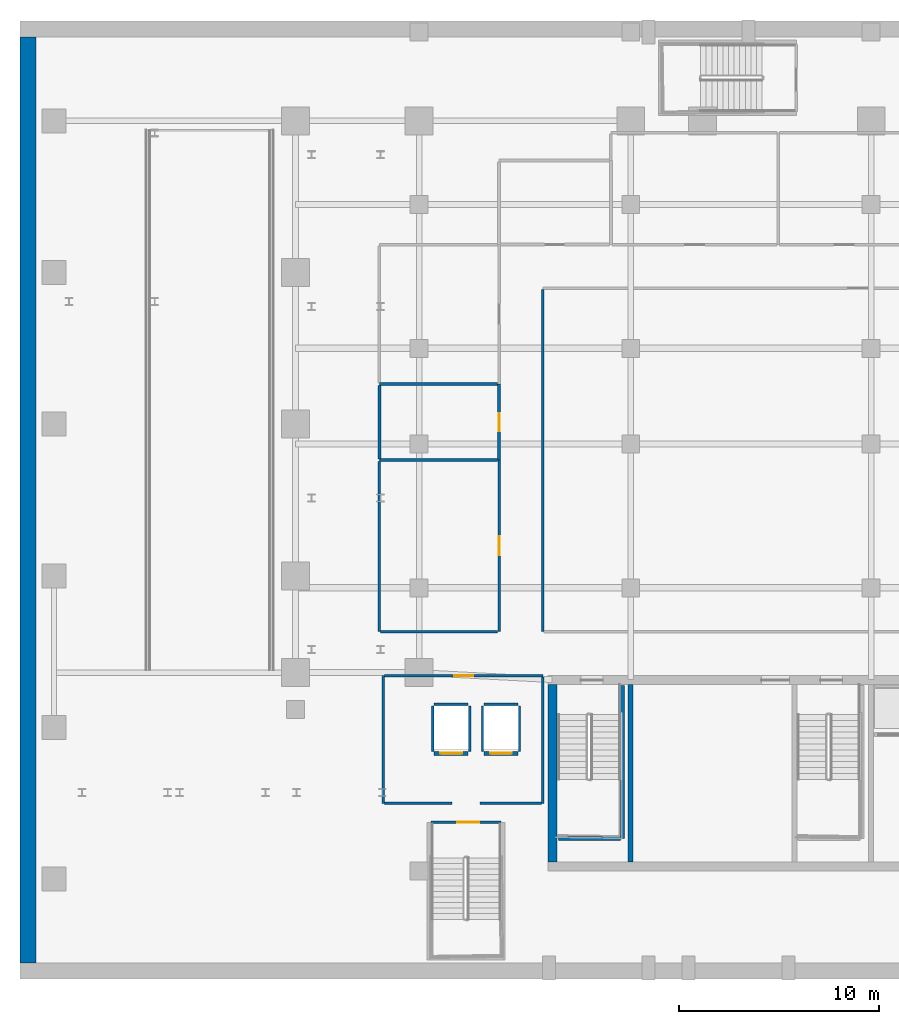
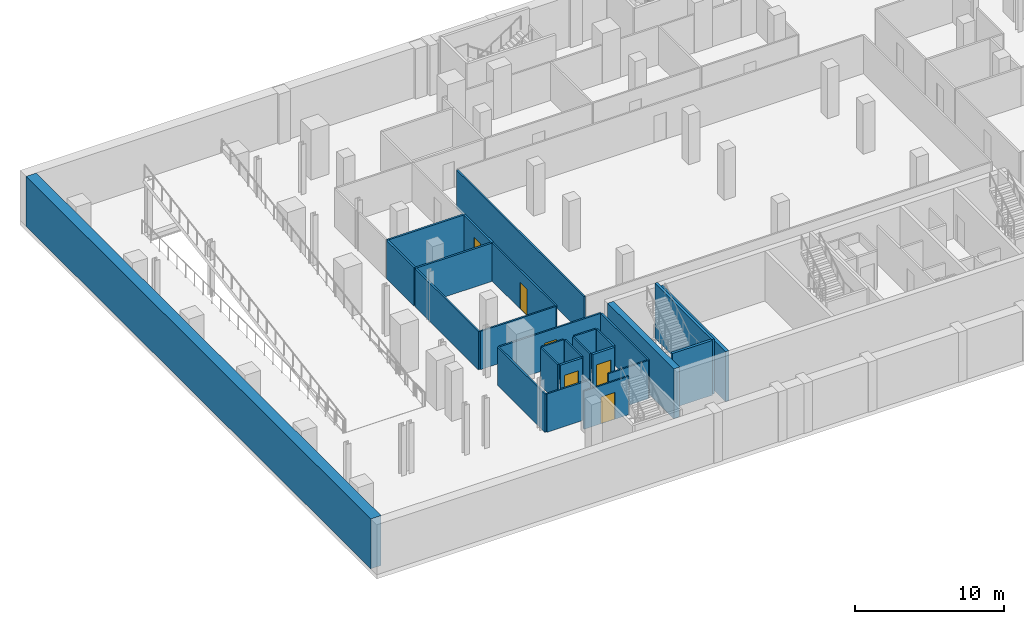
# One storey, part 7 of 18: 27 walls, 6 doors, 6 openings.
"""IFC4 building model written with IfcOpenShell, lengths in metres."""

from ifc_helpers import new_model, si_unit, direction, frame, frame_2d, origin, place, context, subcontext, project, spatial, rectangle, extrude, material, layer, layer_set, type_object, element, fill, save


model = new_model("IFC4")

# Units and contexts
model_context = context("Model", 3, precision=1e-05, world=origin(), true_north=direction((0.0, 1.0)))
body_context = subcontext(model_context, "Body", "Model", "MODEL_VIEW")
ifc_project = project(units=[si_unit("LENGTHUNIT", "METRE"), si_unit("AREAUNIT", "SQUARE_METRE"), si_unit("VOLUMEUNIT", "CUBIC_METRE"), si_unit("PLANEANGLEUNIT", "RADIAN"), si_unit("MASSUNIT", "GRAM", prefix="KILO")], contexts=[model_context])

# Site, building, storey
site_placement = place(None, origin())
site = spatial("IfcSite", under=ifc_project, at=site_placement, CompositionType="ELEMENT")
building_placement = place(site_placement, origin())
building = spatial("IfcBuilding", under=site, at=building_placement, Name="Ndaravel Arena Tower", CompositionType="ELEMENT")
storey_placement = place(building_placement, frame((0.0, 0.0, -4.5)))
storey = spatial("IfcBuildingStorey", under=building, at=storey_placement, Name="B01", CompositionType="ELEMENT", Elevation=-4.5)

# Walls
ifc_material_1 = material(Name="Concrete C60/75", Category="concrete")
ifc_layer_1 = layer(ifc_material_1, 0.25)
ifc_layer_set_1 = layer_set([ifc_layer_1], Name="Concrete C60/75")
wall_type_1 = type_object("IfcWallType", Name="WALL-CORE-250", PredefinedType="SOLIDWALL", material=ifc_layer_set_1)
wall_1_placement = place(storey_placement, frame((30.60009765625, 5.85009765625, 0.0), z_axis=(0.0, 0.0, 1.0), x_axis=(0.0, 1.0, 0.0)))
element("IfcWall", 1, at=wall_1_placement, inside=storey, type_object=wall_type_1, Name="B01 Core Web Shear Wall 1", PredefinedType="SOLIDWALL", context=body_context, shape_type="SweptSolid", body=[
    extrude(rectangle(XDim=8.89990234375, YDim=0.25, at=frame_2d((4.449951171875, 0.0))), origin(), (0.0, 0.0, 1.0), 4.10009765625),
])
ifc_material_2 = material(Name="Concrete C60/75", Category="concrete")
ifc_layer_2 = layer(ifc_material_2, 0.449951171875)
ifc_layer_set_2 = layer_set([ifc_layer_2], Name="Concrete C60/75")
wall_type_2 = type_object("IfcWallType", Name="WALL-CORE-450", PredefinedType="SOLIDWALL", material=ifc_layer_set_2)
wall_2_placement = place(storey_placement, frame((26.675048828125, 5.85009765625, 0.0), z_axis=(0.0, 0.0, 1.0), x_axis=(0.0, 1.0, 0.0)))
element("IfcWall", 2, at=wall_2_placement, inside=storey, type_object=wall_type_2, Name="B01 Core West Shear Wall", PredefinedType="SOLIDWALL", context=body_context, shape_type="SweptSolid", body=[
    extrude(rectangle(XDim=8.89990234375, YDim=0.449951171875, at=frame_2d((4.449951171875, 0.0))), origin(), (0.0, 0.0, 1.0), 4.10009765625),
])
ifc_material_3 = material(Name="Concrete C40/50", Category="concrete")
ifc_layer_3 = layer(ifc_material_3, 0.800048828125)
ifc_layer_set_3 = layer_set([ifc_layer_3], Name="Concrete C40/50")
wall_type_3 = type_object("IfcWallType", Name="WALL-DWALL-800", PredefinedType="USERDEFINED", material=ifc_layer_set_3)
wall_3_placement = place(storey_placement, frame((0.39990234375, 0.800048828125, 0.0), z_axis=(0.0, 0.0, 1.0), x_axis=(0.0, 1.0, 0.0)))
element("IfcWall", 3, at=wall_3_placement, inside=storey, type_object=wall_type_3, Name="B01 West Diaphragm Wall", ObjectType="RETAININGWALL", PredefinedType="USERDEFINED", context=body_context, shape_type="SweptSolid", body=[
    extrude(rectangle(XDim=46.39990234375, YDim=0.800048828125, at=frame_2d((23.199951171875, 0.0))), origin(), (0.0, 0.0, 1.0), 4.10009765625),
])
ifc_material_4 = material(Name="Gypsum", Category="gypsum")
ifc_layer_4 = layer(ifc_material_4, 0.125)
ifc_layer_set_4 = layer_set([ifc_layer_4], Name="Gypsum")
wall_type_4 = type_object("IfcWallType", Name="WALL-PART-125", PredefinedType="PARTITIONING", material=ifc_layer_set_4)
wall_4_placement = place(storey_placement, frame((26.199951171875, 34.534912109375, 0.0), z_axis=(0.0, 0.0, 1.0), x_axis=(0.0, -1.0, 0.0)))
element("IfcWall", 4, at=wall_4_placement, inside=storey, type_object=wall_type_4, Name="B01 Interior Partition 003", PredefinedType="PARTITIONING", context=body_context, shape_type="SweptSolid", body=[
    extrude(rectangle(XDim=17.135009765625, YDim=0.125, at=frame_2d((8.5673828125, 0.0))), origin(), (0.0, 0.0, 1.0), 3.143310546875),
])

# Wall, opening, door
wall_5_placement = place(storey_placement, frame((24.0, 17.39990234375, 0.0), z_axis=(0.0, 0.0, 1.0), x_axis=(0.0, 1.0, 0.0)))
wall_5 = element("IfcWall", 5, at=wall_5_placement, inside=storey, type_object=wall_type_4, Name="B01 Interior Partition 005", PredefinedType="PARTITIONING", context=body_context, shape_type="SweptSolid", body=[
    extrude(rectangle(XDim=8.60009765625, YDim=0.125, at=frame_2d((4.300048828125, 0.0))), origin(), (0.0, 0.0, 1.0), 3.143310546875),
])
opening_1_placement = place(wall_5_placement, frame((3.824951171875, 0.0, 0.0)))
opening_1 = element("IfcOpeningElement", 6, at=opening_1_placement, cuts=wall_5, Name="Opening ID-01", PredefinedType="OPENING", context=body_context, shape_type="SweptSolid", body=[
    extrude(rectangle(XDim=0.949951171875, YDim=2.199951171875, at=frame_2d((0.47509765625, 1.10009765625))), frame((0.0, 0.0625, 0.0), z_axis=(0.0, -1.0, 0.0), x_axis=(1.0, 0.0, 0.0)), (0.0, 0.0, 1.0), 0.125),
])
ifc_material_5 = material(Name="Timber", Category="wood")
door_type_1 = type_object("IfcDoorType", Name="DT-03-OFFICE-950", OperationType="SINGLE_SWING_LEFT", PredefinedType="DOOR", material=ifc_material_5)
door_1_placement = place(opening_1_placement, origin())
door_1 = element("IfcDoor", 7, at=door_1_placement, inside=storey, type_object=door_type_1, Name="B01 Host Team A Locker & Changing Room Door", OperationType="SINGLE_SWING_LEFT", OverallHeight=2.199951171875, OverallWidth=0.949951171875, PredefinedType="DOOR", context=body_context, shape_type="SweptSolid", body=[
    extrude(rectangle(XDim=0.949951171875, YDim=2.199951171875, at=frame_2d((0.47509765625, 1.10009765625))), frame((0.0, 0.02490234375, 0.0), z_axis=(0.0, -1.0, 0.0), x_axis=(1.0, 0.0, 0.0)), (0.0, 0.0, 1.0), 0.050048828125),
])
fill(opening_1, door_1)

# Walls
wall_6_placement = place(storey_placement, frame((18.0, 25.93505859375, 0.0), z_axis=(0.0, 0.0, 1.0), x_axis=(0.0, -1.0, 0.0)))
element("IfcWall", 8, at=wall_6_placement, inside=storey, type_object=wall_type_4, Name="B01 Interior Partition 007", PredefinedType="PARTITIONING", context=body_context, shape_type="SweptSolid", body=[
    extrude(rectangle(XDim=8.53515625, YDim=0.125, at=frame_2d((4.267578125, 0.0))), origin(), (0.0, 0.0, 1.0), 3.143310546875),
])
wall_7_placement = place(storey_placement, frame((18.06494140625, 17.39990234375, 0.0), z_axis=(0.0, 0.0, 1.0), x_axis=(1.0, 0.0, 0.0)))
element("IfcWall", 9, at=wall_7_placement, inside=storey, type_object=wall_type_4, Name="B01 Interior Partition 008", PredefinedType="PARTITIONING", context=body_context, shape_type="SweptSolid", body=[
    extrude(rectangle(XDim=5.8701171875, YDim=0.125, at=frame_2d((2.93505859375, 0.0))), origin(), (0.0, 0.0, 1.0), 3.143310546875),
])
wall_8_placement = place(storey_placement, frame((18.199951171875, 8.800048828125, 0.0), z_axis=(0.0, 0.0, 1.0), x_axis=(0.0, 1.0, 0.0)))
element("IfcWall", 10, at=wall_8_placement, inside=storey, type_object=wall_type_4, Name="B01 Interior Partition 041", PredefinedType="PARTITIONING", context=body_context, shape_type="SweptSolid", body=[
    extrude(rectangle(XDim=6.39990234375, YDim=0.125, at=frame_2d((3.199951171875, 0.0))), origin(), (0.0, 0.0, 1.0), 3.143310546875),
])

# Wall, opening, door
wall_9_placement = place(storey_placement, frame((18.264892578125, 15.199951171875, 0.0), z_axis=(0.0, 0.0, 1.0), x_axis=(1.0, 0.0, 0.0)))
wall_9 = element("IfcWall", 11, at=wall_9_placement, inside=storey, type_object=wall_type_4, Name="B01 Interior Partition 042", PredefinedType="PARTITIONING", context=body_context, shape_type="SweptSolid", body=[
    extrude(rectangle(XDim=7.93505859375, YDim=0.125, at=frame_2d((3.967529296875, 0.0))), origin(), (0.0, 0.0, 1.0), 3.143310546875),
])
opening_2_placement = place(wall_9_placement, frame((3.492431640625, 0.0, 0.0)))
opening_2 = element("IfcOpeningElement", 12, at=opening_2_placement, cuts=wall_9, Name="Opening FD-03", PredefinedType="OPENING", context=body_context, shape_type="SweptSolid", body=[
    extrude(rectangle(XDim=0.949951171875, YDim=2.199951171875, at=frame_2d((0.47509765625, 1.10009765625))), frame((0.0, 0.0625, 0.0), z_axis=(0.0, -1.0, 0.0), x_axis=(1.0, 0.0, 0.0)), (0.0, 0.0, 1.0), 0.125),
])
ifc_material_6 = material(Name="Steel S355", Category="steel")
door_type_2 = type_object("IfcDoorType", Name="DT-11-CORE-950", OperationType="SINGLE_SWING_LEFT", PredefinedType="DOOR", material=ifc_material_6)
door_2_placement = place(opening_2_placement, origin())
door_2 = element("IfcDoor", 13, at=door_2_placement, inside=storey, type_object=door_type_2, Name="B01 B01 Podium Lift Lobby Door", OperationType="SINGLE_SWING_RIGHT", OverallHeight=2.199951171875, OverallWidth=0.949951171875, PredefinedType="DOOR", context=body_context, shape_type="SweptSolid", body=[
    extrude(rectangle(XDim=0.949951171875, YDim=2.199951171875, at=frame_2d((0.47509765625, 1.10009765625))), frame((0.0, 0.02490234375, 0.0), z_axis=(0.0, -1.0, 0.0), x_axis=(1.0, 0.0, 0.0)), (0.0, 0.0, 1.0), 0.050048828125),
])
fill(opening_2, door_2)

# Walls
wall_10_placement = place(storey_placement, frame((26.199951171875, 15.135009765625, 0.0), z_axis=(0.0, 0.0, 1.0), x_axis=(0.0, -1.0, 0.0)))
element("IfcWall", 14, at=wall_10_placement, inside=storey, type_object=wall_type_4, Name="B01 Interior Partition 043", PredefinedType="PARTITIONING", context=body_context, shape_type="SweptSolid", body=[
    extrude(rectangle(XDim=6.3349609375, YDim=0.125, at=frame_2d((3.16748046875, 0.0))), origin(), (0.0, 0.0, 1.0), 3.143310546875),
])
wall_11_placement = place(storey_placement, frame((26.135009765625, 8.800048828125, 0.0), z_axis=(0.0, 0.0, 1.0), x_axis=(-1.0, 0.0, 0.0)))
element("IfcWall", 15, at=wall_11_placement, inside=storey, type_object=wall_type_4, Name="B01 Interior Partition 044", PredefinedType="PARTITIONING", context=body_context, shape_type="SweptSolid", body=[
    extrude(rectangle(XDim=3.0849609375, YDim=0.125, at=frame_2d((1.54248046875, 0.0))), origin(), (0.0, 0.0, 1.0), 3.143310546875),
])
wall_12_placement = place(storey_placement, frame((21.64990234375, 8.800048828125, 0.0), z_axis=(0.0, 0.0, 1.0), x_axis=(-1.0, 0.0, 0.0)))
element("IfcWall", 16, at=wall_12_placement, inside=storey, type_object=wall_type_4, Name="B01 Interior Partition 045", PredefinedType="PARTITIONING", context=body_context, shape_type="SweptSolid", body=[
    extrude(rectangle(XDim=3.385009765625, YDim=0.125, at=frame_2d((1.6923828125, 0.0))), origin(), (0.0, 0.0, 1.0), 3.143310546875),
])

# Wall, opening, door
ifc_material_7 = material(Name="Concrete C40/50", Category="concrete")
ifc_layer_5 = layer(ifc_material_7, 0.1201171875)
ifc_layer_set_5 = layer_set([ifc_layer_5], Name="Concrete C40/50")
wall_type_5 = type_object("IfcWallType", Name="WALL-SHAFT-120", PredefinedType="SOLIDWALL", material=ifc_layer_set_5)
wall_13_placement = place(storey_placement, frame((20.60498046875, 7.85009765625, 0.0), z_axis=(0.0, 0.0, 1.0), x_axis=(1.0, 0.0, 0.0)))
wall_13 = element("IfcWall", 17, at=wall_13_placement, inside=storey, type_object=wall_type_5, Name="B01 ST-B1 Entry Wall", PredefinedType="SOLIDWALL", context=body_context, shape_type="SweptSolid", body=[
    extrude(rectangle(XDim=3.489990234375, YDim=0.1201171875, at=frame_2d((1.7451171875, 0.0))), origin(), (0.0, 0.0, 1.0), 3.143310546875),
])
opening_3_placement = place(wall_13_placement, frame((1.300048828125, 0.0, 0.0)))
opening_3 = element("IfcOpeningElement", 18, at=opening_3_placement, cuts=wall_13, Name="Opening FD-01", PredefinedType="OPENING", context=body_context, shape_type="SweptSolid", body=[
    extrude(rectangle(XDim=1.10009765625, YDim=2.199951171875, at=frame_2d((0.550048828125, 1.10009765625))), frame((0.0, 0.06005859375, 0.0), z_axis=(0.0, -1.0, 0.0), x_axis=(1.0, 0.0, 0.0)), (0.0, 0.0, 1.0), 0.1201171875),
])
ifc_material_8 = material(Name="Steel S355", Category="steel")
door_type_3 = type_object("IfcDoorType", Name="DT-01-STAIR-1100", OperationType="SINGLE_SWING_LEFT", PredefinedType="DOOR", material=ifc_material_8)
door_3_placement = place(opening_3_placement, origin())
door_3 = element("IfcDoor", 19, at=door_3_placement, inside=storey, type_object=door_type_3, Name="B01 ST-B1 Fire Exit Stair Door", OperationType="SINGLE_SWING_RIGHT", OverallHeight=2.199951171875, OverallWidth=1.10009765625, PredefinedType="DOOR", context=body_context, shape_type="SweptSolid", body=[
    extrude(rectangle(XDim=1.10009765625, YDim=2.199951171875, at=frame_2d((0.550048828125, 1.10009765625))), frame((0.0, 0.02490234375, 0.0), z_axis=(0.0, -1.0, 0.0), x_axis=(1.0, 0.0, 0.0)), (0.0, 0.0, 1.0), 0.050048828125),
])
fill(opening_3, door_3)

# Walls
wall_14_placement = place(storey_placement, frame((20.7548828125, 13.760009765625, 0.0), z_axis=(0.0, 0.0, 1.0), x_axis=(1.0, 0.0, 0.0)))
element("IfcWall", 20, at=wall_14_placement, inside=storey, type_object=wall_type_5, Name="B01 PL-A1 Shaft Rear Wall", PredefinedType="SOLIDWALL", context=body_context, shape_type="SweptSolid", body=[
    extrude(rectangle(XDim=1.690185546875, YDim=0.1201171875, at=frame_2d((0.84521484375, 0.0))), origin(), (0.0, 0.0, 1.0), 3.143310546875),
])
for number, where, z_axis, x_axis, name in (
    (21, (20.675048828125, 11.389892578125, 0.0), (0.0, 0.0, 1.0), (0.0, 1.0, 0.0), "B01 PL-A1 Shaft Side L Wall"),
    (22, (22.52490234375, 11.389892578125, 0.0), (0.0, 0.0, 1.0), (0.0, 1.0, 0.0), "B01 PL-A1 Shaft Side R Wall"),
):
    element("IfcWall", number, at=place(storey_placement, frame(where, z_axis=z_axis, x_axis=x_axis)), inside=storey, type_object=wall_type_5, Name=name, PredefinedType="SOLIDWALL", context=body_context, shape_type="SweptSolid", body=[
        extrude(rectangle(XDim=2.280029296875, YDim=0.1201171875, at=frame_2d((1.14013671875, 0.0))), origin(), (0.0, 0.0, 1.0), 3.143310546875),
    ])
wall_15_placement = place(storey_placement, frame((23.2548828125, 13.760009765625, 0.0), z_axis=(0.0, 0.0, 1.0), x_axis=(1.0, 0.0, 0.0)))
element("IfcWall", 23, at=wall_15_placement, inside=storey, type_object=wall_type_5, Name="B01 PL-A2 Shaft Rear Wall", PredefinedType="SOLIDWALL", context=body_context, shape_type="SweptSolid", body=[
    extrude(rectangle(XDim=1.690185546875, YDim=0.1201171875, at=frame_2d((0.84521484375, 0.0))), origin(), (0.0, 0.0, 1.0), 3.143310546875),
])
for number, where, z_axis, x_axis, name in (
    (24, (23.175048828125, 11.389892578125, 0.0), (0.0, 0.0, 1.0), (0.0, 1.0, 0.0), "B01 PL-A2 Shaft Side L Wall"),
    (25, (25.02490234375, 11.389892578125, 0.0), (0.0, 0.0, 1.0), (0.0, 1.0, 0.0), "B01 PL-A2 Shaft Side R Wall"),
):
    element("IfcWall", number, at=place(storey_placement, frame(where, z_axis=z_axis, x_axis=x_axis)), inside=storey, type_object=wall_type_5, Name=name, PredefinedType="SOLIDWALL", context=body_context, shape_type="SweptSolid", body=[
        extrude(rectangle(XDim=2.280029296875, YDim=0.1201171875, at=frame_2d((1.14013671875, 0.0))), origin(), (0.0, 0.0, 1.0), 3.143310546875),
    ])
ifc_material_9 = material(Name="Concrete C40/50", Category="concrete")
ifc_layer_6 = layer(ifc_material_9, 0.199951171875)
ifc_layer_set_6 = layer_set([ifc_layer_6], Name="Concrete C40/50")
wall_type_6 = type_object("IfcWallType", Name="WALL-SHAFT-200", PredefinedType="SOLIDWALL", material=ifc_layer_set_6)
wall_16_placement = place(storey_placement, frame((30.18994140625, 14.699951171875, 0.0), z_axis=(0.0, 0.0, 1.0), x_axis=(0.0, -1.0, 0.0)))
element("IfcWall", 26, at=wall_16_placement, inside=storey, type_object=wall_type_6, Name="B01 ST-1 Structural Shaft Wall Right", PredefinedType="SOLIDWALL", context=body_context, shape_type="SweptSolid", body=[
    extrude(rectangle(XDim=7.64990234375, YDim=0.199951171875, at=frame_2d((3.824951171875, 0.0))), origin(), (0.0, 0.0, 1.0), 4.5),
])
wall_17_placement = place(storey_placement, frame((26.969970703125, 7.050048828125, 0.0), z_axis=(0.0, 0.0, 1.0), x_axis=(1.0, 0.0, 0.0)))
element("IfcWall", 27, at=wall_17_placement, inside=storey, type_object=wall_type_6, Name="B01 ST-1 Structural Shaft Wall Far", PredefinedType="SOLIDWALL", context=body_context, shape_type="SweptSolid", body=[
    extrude(rectangle(XDim=3.114990234375, YDim=0.199951171875, at=frame_2d((1.5576171875, 0.0))), origin(), (0.0, 0.0, 1.0), 4.5),
])

# Wall, opening, door
wall_18_placement = place(storey_placement, frame((20.7548828125, 11.300048828125, 0.0), z_axis=(0.0, 0.0, 1.0), x_axis=(1.0, 0.0, 0.0)))
wall_18 = element("IfcWall", 28, at=wall_18_placement, inside=storey, type_object=wall_type_6, Name="B01 PL-A1 Shaft Landing Wall", PredefinedType="SOLIDWALL", context=body_context, shape_type="SweptSolid", body=[
    extrude(rectangle(XDim=1.690185546875, YDim=0.179931640625, at=frame_2d((0.84521484375, 0.0))), origin(), (0.0, 0.0, 1.0), 3.143310546875),
])
opening_4_placement = place(wall_18_placement, frame((0.294921875, 0.0, 0.0)))
opening_4 = element("IfcOpeningElement", 29, at=opening_4_placement, cuts=wall_18, Name="Opening LD-01", PredefinedType="OPENING", context=body_context, shape_type="SweptSolid", body=[
    extrude(rectangle(XDim=1.10009765625, YDim=2.199951171875, at=frame_2d((0.550048828125, 1.10009765625))), frame((0.0, 0.08984375, 0.0), z_axis=(0.0, -1.0, 0.0), x_axis=(1.0, 0.0, 0.0)), (0.0, 0.0, 1.0), 0.179931640625),
])
ifc_material_10 = material(Name="Steel S355", Category="steel")
door_type_4 = type_object("IfcDoorType", Name="DT-06-LIFT-1100", OperationType="SLIDING_TO_LEFT", PredefinedType="DOOR", material=ifc_material_10)
door_4_placement = place(opening_4_placement, origin())
door_4 = element("IfcDoor", 30, at=door_4_placement, inside=storey, type_object=door_type_4, Name="B01 Lift PL-A1 Sliding Landing Door", OperationType="SLIDING_TO_LEFT", OverallHeight=2.199951171875, OverallWidth=1.10009765625, PredefinedType="DOOR", context=body_context, shape_type="SweptSolid", body=[
    extrude(rectangle(XDim=1.10009765625, YDim=2.199951171875, at=frame_2d((0.550048828125, 1.10009765625))), frame((0.0, 0.02490234375, 0.0), z_axis=(0.0, -1.0, 0.0), x_axis=(1.0, 0.0, 0.0)), (0.0, 0.0, 1.0), 0.050048828125),
])
fill(opening_4, door_4)

wall_19_placement = place(storey_placement, frame((23.2548828125, 11.300048828125, 0.0), z_axis=(0.0, 0.0, 1.0), x_axis=(1.0, 0.0, 0.0)))
wall_19 = element("IfcWall", 31, at=wall_19_placement, inside=storey, type_object=wall_type_6, Name="B01 PL-A2 Shaft Landing Wall", PredefinedType="SOLIDWALL", context=body_context, shape_type="SweptSolid", body=[
    extrude(rectangle(XDim=1.690185546875, YDim=0.179931640625, at=frame_2d((0.84521484375, 0.0))), origin(), (0.0, 0.0, 1.0), 3.143310546875),
])
opening_5_placement = place(wall_19_placement, frame((0.294921875, 0.0, 0.0)))
opening_5 = element("IfcOpeningElement", 32, at=opening_5_placement, cuts=wall_19, Name="Opening LD-01", PredefinedType="OPENING", context=body_context, shape_type="SweptSolid", body=[
    extrude(rectangle(XDim=1.10009765625, YDim=2.199951171875, at=frame_2d((0.550048828125, 1.10009765625))), frame((0.0, 0.08984375, 0.0), z_axis=(0.0, -1.0, 0.0), x_axis=(1.0, 0.0, 0.0)), (0.0, 0.0, 1.0), 0.179931640625),
])
door_5_placement = place(opening_5_placement, origin())
door_5 = element("IfcDoor", 33, at=door_5_placement, inside=storey, type_object=door_type_4, Name="B01 Lift PL-A2 Sliding Landing Door", OperationType="SLIDING_TO_LEFT", OverallHeight=2.199951171875, OverallWidth=1.10009765625, PredefinedType="DOOR", context=body_context, shape_type="SweptSolid", body=[
    extrude(rectangle(XDim=1.10009765625, YDim=2.199951171875, at=frame_2d((0.550048828125, 1.10009765625))), frame((0.0, 0.02490234375, 0.0), z_axis=(0.0, -1.0, 0.0), x_axis=(1.0, 0.0, 0.0)), (0.0, 0.0, 1.0), 0.050048828125),
])
fill(opening_5, door_5)

# Wall
ifc_material_11 = material(Name="Masonry", Category="masonry")
ifc_layer_7 = layer(ifc_material_11, 0.14990234375)
ifc_layer_set_7 = layer_set([ifc_layer_7], Name="Masonry")
wall_type_7 = type_object("IfcWallType", Name="WALL-WET-150", PredefinedType="PARTITIONING", material=ifc_layer_set_7)
wall_20_placement = place(storey_placement, frame((23.93505859375, 26.0, 0.0), z_axis=(0.0, 0.0, 1.0), x_axis=(-1.0, 0.0, 0.0)))
element("IfcWall", 34, at=wall_20_placement, inside=storey, type_object=wall_type_7, Name="B01 Interior Partition 006", PredefinedType="PARTITIONING", context=body_context, shape_type="SweptSolid", body=[
    extrude(rectangle(XDim=5.93505859375, YDim=0.14990234375, at=frame_2d((2.967529296875, 0.0))), origin(), (0.0, 0.0, 1.0), 3.143310546875),
])

# Wall, opening, door
wall_21_placement = place(storey_placement, frame((24.0, 26.0, 0.0), z_axis=(0.0, 0.0, 1.0), x_axis=(0.0, 1.0, 0.0)))
wall_21 = element("IfcWall", 35, at=wall_21_placement, inside=storey, type_object=wall_type_7, Name="B01 Interior Partition 009", PredefinedType="PARTITIONING", context=body_context, shape_type="SweptSolid", body=[
    extrude(rectangle(XDim=3.800048828125, YDim=0.14990234375, at=frame_2d((1.89990234375, 0.0))), origin(), (0.0, 0.0, 1.0), 3.143310546875),
])
opening_6_placement = place(wall_21_placement, frame((1.449951171875, 0.0, 0.0)))
opening_6 = element("IfcOpeningElement", 36, at=opening_6_placement, cuts=wall_21, Name="Opening WD-01", PredefinedType="OPENING", context=body_context, shape_type="SweptSolid", body=[
    extrude(rectangle(XDim=0.89990234375, YDim=2.14990234375, at=frame_2d((0.449951171875, 1.074951171875))), frame((0.0, 0.074951171875, 0.0), z_axis=(0.0, -1.0, 0.0), x_axis=(1.0, 0.0, 0.0)), (0.0, 0.0, 1.0), 0.14990234375),
])
ifc_material_12 = material(Name="Timber", Category="wood")
door_type_5 = type_object("IfcDoorType", Name="DT-05-WC-900", OperationType="SINGLE_SWING_LEFT", PredefinedType="DOOR", material=ifc_material_12)
door_6_placement = place(opening_6_placement, origin())
door_6 = element("IfcDoor", 37, at=door_6_placement, inside=storey, type_object=door_type_5, Name="B01 Host Team A Washroom WC Door", OperationType="SINGLE_SWING_RIGHT", OverallHeight=2.14990234375, OverallWidth=0.89990234375, PredefinedType="DOOR", context=body_context, shape_type="SweptSolid", body=[
    extrude(rectangle(XDim=0.89990234375, YDim=2.14990234375, at=frame_2d((0.449951171875, 1.074951171875))), frame((0.0, 0.02490234375, 0.0), z_axis=(0.0, -1.0, 0.0), x_axis=(1.0, 0.0, 0.0)), (0.0, 0.0, 1.0), 0.050048828125),
])
fill(opening_6, door_6)

# Walls
wall_22_placement = place(storey_placement, frame((23.93505859375, 29.800048828125, 0.0), z_axis=(0.0, 0.0, 1.0), x_axis=(-1.0, 0.0, 0.0)))
element("IfcWall", 38, at=wall_22_placement, inside=storey, type_object=wall_type_7, Name="B01 Interior Partition 010", PredefinedType="PARTITIONING", context=body_context, shape_type="SweptSolid", body=[
    extrude(rectangle(XDim=5.93505859375, YDim=0.14990234375, at=frame_2d((2.967529296875, 0.0))), origin(), (0.0, 0.0, 1.0), 3.143310546875),
])
wall_23_placement = place(storey_placement, frame((18.0, 29.735107421875, 0.0), z_axis=(0.0, 0.0, 1.0), x_axis=(0.0, -1.0, 0.0)))
element("IfcWall", 39, at=wall_23_placement, inside=storey, type_object=wall_type_7, Name="B01 Interior Partition 011", PredefinedType="PARTITIONING", context=body_context, shape_type="SweptSolid", body=[
    extrude(rectangle(XDim=3.670166015625, YDim=0.14990234375, at=frame_2d((1.8349609375, 0.0))), origin(), (0.0, 0.0, 1.0), 3.143310546875),
])

save(model, "model.ifc")
